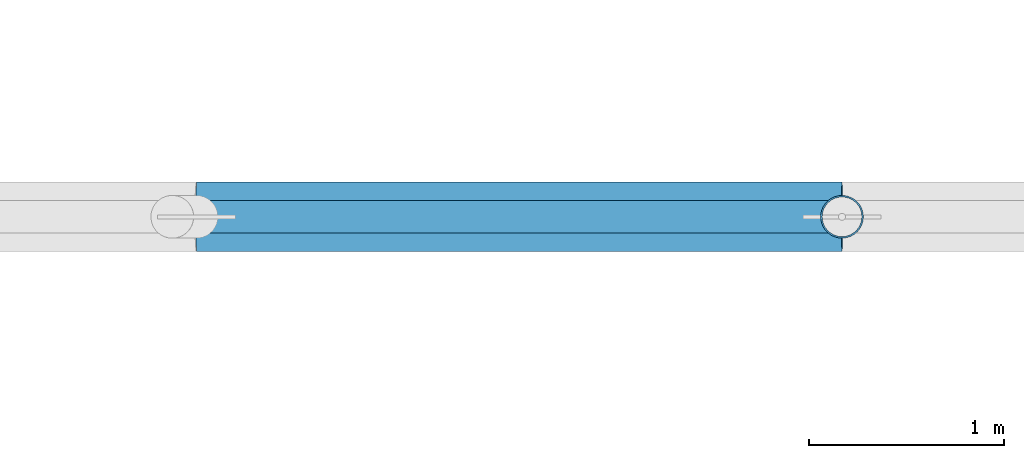
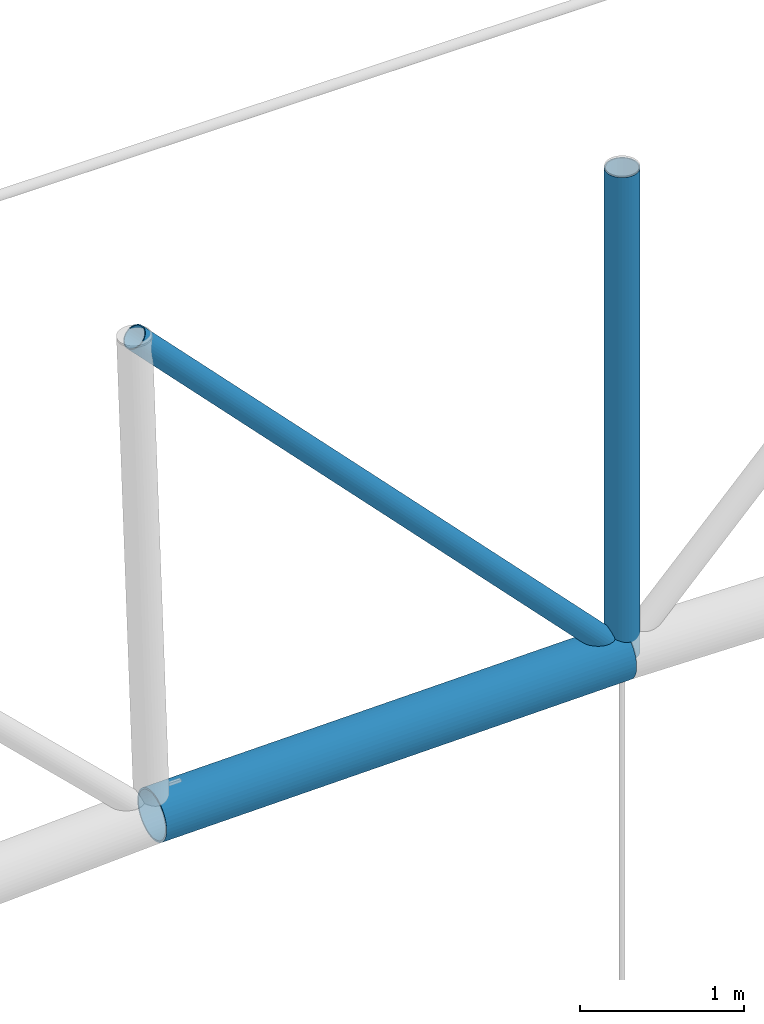
# One storey, part 70 of 321: 3 members.
"""IFC4 building model written with IfcOpenShell, lengths in metres."""

from ifc_helpers import new_model, si_unit, direction, frame, origin, origin_2d, place, context, subcontext, project, spatial, hollow_circle, extrude, material, material_profile, profile_set, type_object, element, save


model = new_model("IFC4")

# Units and contexts
model_context = context("Model", 3, precision=1e-05, world=origin(), true_north=direction((0.0, 1.0)))
body_context = subcontext(model_context, "Body", "Model", "MODEL_VIEW")
ifc_project = project(units=[si_unit("LENGTHUNIT", "METRE"), si_unit("AREAUNIT", "SQUARE_METRE"), si_unit("VOLUMEUNIT", "CUBIC_METRE"), si_unit("PLANEANGLEUNIT", "RADIAN"), si_unit("MASSUNIT", "GRAM", prefix="KILO")], contexts=[model_context])

# Site, building, storey
site_placement = place(None, origin())
site = spatial("IfcSite", under=ifc_project, at=site_placement, CompositionType="ELEMENT")
building_placement = place(site_placement, origin())
building = spatial("IfcBuilding", under=site, at=building_placement, Name="Ravi Spectrum Wholesale Market", CompositionType="ELEMENT")
storey_placement = place(building_placement, frame((0.0, 0.0, 10.800048828125)))
storey = spatial("IfcBuildingStorey", under=building, at=storey_placement, Name="L02", CompositionType="ELEMENT", Elevation=10.800048828125)

# Members
ifc_material_1 = material(Name="Steel S355", Category="steel")
ifc_material_profile_1 = material_profile(ifc_material_1, hollow_circle(Radius=0.084228515625, WallThickness=0.00634765625, at=origin_2d()))
ifc_profile_set_1 = profile_set([ifc_material_profile_1], Name="Steel S355")
member_type_1 = type_object("IfcMemberType", Name="CHS 168.3x6.3 brace", PredefinedType="BRACE", material=ifc_profile_set_1)
member_1_placement = place(storey_placement, frame((66.5703125, 102.0, 8.3408203125), z_axis=(0.695749704847, 0.0, -0.718284308756), x_axis=(0.0, 1.0, 0.0)))
element("IfcMember", 1, at=member_1_placement, inside=storey, type_object=member_type_1, Name="H1-MB-L02-568", PredefinedType="BRACE", context=body_context, shape_type="SweptSolid", body=[
    extrude(hollow_circle(Radius=0.084228515625, WallThickness=0.00634765625, at=origin_2d()), origin(), (0.0, 0.0, 1.0), 4.929443359375),
])
ifc_material_2 = material(Name="Steel S355", Category="steel")
ifc_material_profile_2 = material_profile(ifc_material_2, hollow_circle(Radius=0.109619140625, WallThickness=0.008056640625, at=origin_2d()))
ifc_profile_set_2 = profile_set([ifc_material_profile_2], Name="Steel S355")
member_type_2 = type_object("IfcMemberType", Name="CHS 219.1x8 post", PredefinedType="POST", material=ifc_profile_set_2)
member_2_placement = place(storey_placement, frame((70.0, 102.0, 8.39990234375), z_axis=(0.0, 0.0, -1.0), x_axis=(1.0, 0.0, 0.0)))
element("IfcMember", 2, at=member_2_placement, inside=storey, type_object=member_type_2, Name="H1-MB-L02-546", PredefinedType="POST", context=body_context, shape_type="SweptSolid", body=[
    extrude(hollow_circle(Radius=0.109619140625, WallThickness=0.008056640625, at=origin_2d()), origin(), (0.0, 0.0, 1.0), 3.599853515625),
])
ifc_material_3 = material(Name="Steel S355", Category="steel")
ifc_material_profile_3 = material_profile(ifc_material_3, hollow_circle(Radius=0.177734375, WallThickness=0.012451171875, at=origin_2d()))
ifc_profile_set_3 = profile_set([ifc_material_profile_3], Name="Steel S355")
member_type_3 = type_object("IfcMemberType", Name="CHS 355.6x12.5 chord", PredefinedType="CHORD", material=ifc_profile_set_3)
member_3_placement = place(storey_placement, frame((66.6943359375, 102.0, 4.742919921875), z_axis=(0.999850697486, 0.0, 0.017279546766), x_axis=(0.0, 1.0, 0.0)))
element("IfcMember", 3, at=member_3_placement, inside=storey, type_object=member_type_3, Name="H1-MB-L02-522", PredefinedType="CHORD", context=body_context, shape_type="SweptSolid", body=[
    extrude(hollow_circle(Radius=0.177734375, WallThickness=0.012451171875, at=origin_2d()), origin(), (0.0, 0.0, 1.0), 3.30615234375),
])

save(model, "model.ifc")
